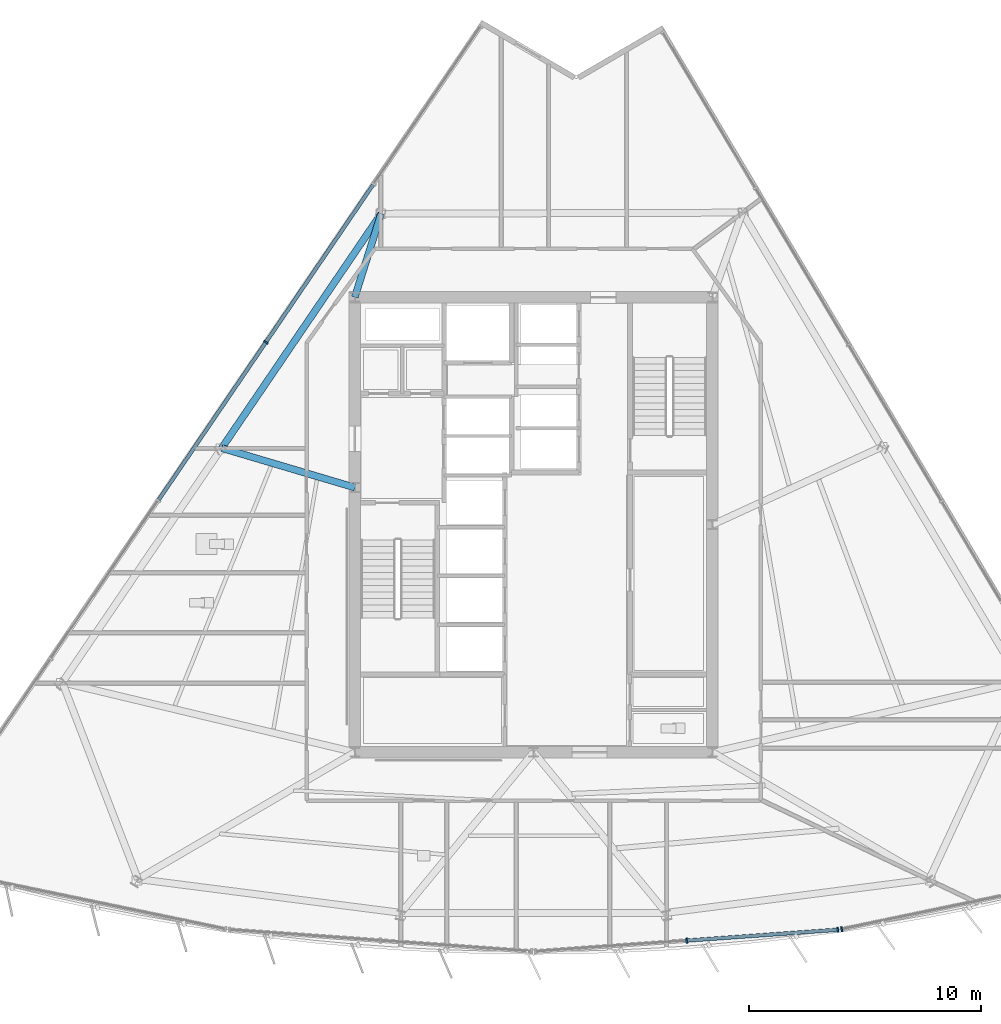
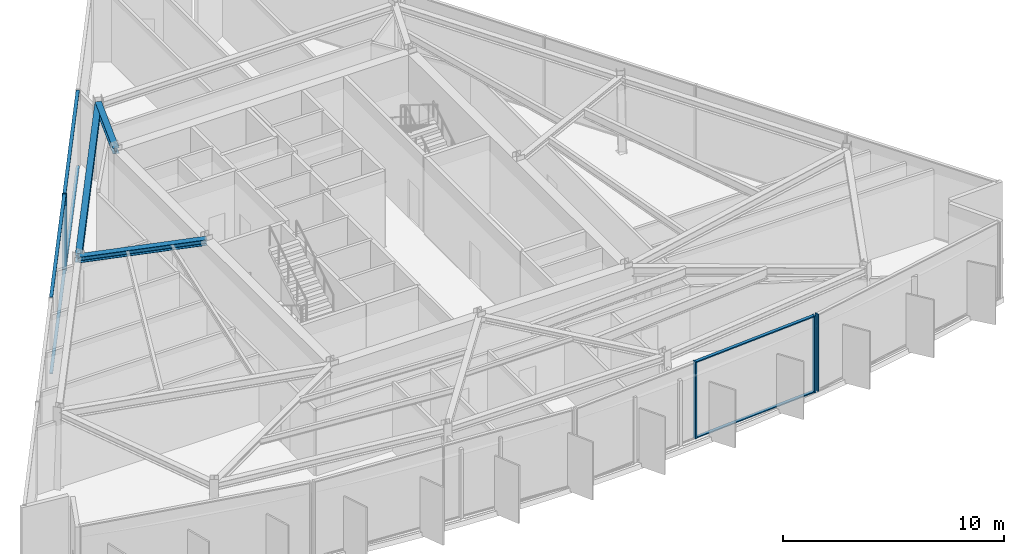
# One storey, part 3 of 13: 10 members, 3 beams, 3 elements without a shape of their own.
"""IFC4 building model written with IfcOpenShell, lengths in metres."""

from ifc_helpers import new_model, si_unit, direction, frame, origin, origin_2d, place, context, subcontext, project, spatial, rectangle, i_section, extrude, material, material_profile, profile_set, type_object, element, aggregate, save


model = new_model("IFC4")

# Units and contexts
model_context = context("Model", 3, precision=1e-05, world=origin(), true_north=direction((0.0, 1.0)))
body_context = subcontext(model_context, "Body", "Model", "MODEL_VIEW")
ifc_project = project(units=[si_unit("LENGTHUNIT", "METRE"), si_unit("AREAUNIT", "SQUARE_METRE"), si_unit("VOLUMEUNIT", "CUBIC_METRE"), si_unit("PLANEANGLEUNIT", "RADIAN"), si_unit("MASSUNIT", "GRAM", prefix="KILO")], contexts=[model_context])

# Site, building, storey
site_placement = place(None, origin())
site = spatial("IfcSite", under=ifc_project, at=site_placement, CompositionType="ELEMENT")
building_placement = place(site_placement, origin())
building = spatial("IfcBuilding", under=site, at=building_placement, Name="Savorim Split Tower", CompositionType="ELEMENT")
storey_placement = place(building_placement, frame((0.0, 0.0, 190.199951171875)))
storey = spatial("IfcBuildingStorey", under=building, at=storey_placement, Name="L50", CompositionType="ELEMENT", Elevation=190.199951171875)

# Beams
ifc_material_1 = material(Name="Steel S355", Category="steel")
ifc_material_profile_1 = material_profile(ifc_material_1, i_section(OverallWidth=0.300048828125, OverallDepth=0.320068359375, WebThickness=0.011474609375, FlangeThickness=0.0205078125, FilletRadius=0.027099609375, at=origin_2d()), Name="HEB 320")
ifc_profile_set_1 = profile_set([ifc_material_profile_1], Name="Steel S355")
beam_type_1 = type_object("IfcBeamType", Name="BM-PRI-HEB320", PredefinedType="BEAM", material=ifc_profile_set_1)
beam_1_placement = place(storey_placement, frame((-6.566162109375, 13.78955078125, 4.090087890625), z_axis=(-0.301187237585, -0.953565020287, 0.0), x_axis=(0.953565020287, -0.301187237585, 0.0)))
element("IfcBeam", 1, at=beam_1_placement, inside=storey, type_object=beam_type_1, Name="L50 Primary Floor Girder RG-08", PredefinedType="BEAM", context=body_context, shape_type="SweptSolid", body=[
    extrude(i_section(OverallWidth=0.300048828125, OverallDepth=0.320068359375, WebThickness=0.011474609375, FlangeThickness=0.0205078125, FilletRadius=0.027099609375, at=origin_2d()), origin(), (0.0, 0.0, 1.0), 3.764404296875),
])
beam_2_placement = place(storey_placement, frame((-13.430419921875, 3.699462890625, 4.090087890625), z_axis=(0.958727620715, -0.284326131893, 0.0), x_axis=(0.284326131893, 0.958727620715, 0.0)))
element("IfcBeam", 2, at=beam_2_placement, inside=storey, type_object=beam_type_1, Name="L50 Primary Floor Girder RG-09", PredefinedType="BEAM", context=body_context, shape_type="SweptSolid", body=[
    extrude(i_section(OverallWidth=0.300048828125, OverallDepth=0.320068359375, WebThickness=0.011474609375, FlangeThickness=0.0205078125, FilletRadius=0.027099609375, at=origin_2d()), origin(), (0.0, 0.0, 1.0), 5.97705078125),
])
ifc_material_profile_2 = material_profile(ifc_material_1, i_section(OverallWidth=0.300048828125, OverallDepth=0.389892578125, WebThickness=0.010986328125, FlangeThickness=0.01904296875, FilletRadius=0.027099609375, at=origin_2d()), Name="HEA 400")
ifc_profile_set_2 = profile_set([ifc_material_profile_2], Name="Steel S355")
beam_type_2 = type_object("IfcBeamType", Name="BM-SPN-HEA400", PredefinedType="SPANDREL", material=ifc_profile_set_2)
beam_3_placement = place(storey_placement, frame((-6.566162109375, 13.78955078125, 4.054931640625), z_axis=(-0.5624780001, -0.826812251605, 0.0), x_axis=(0.826812251605, -0.5624780001, 0.0)))
element("IfcBeam", 3, at=beam_3_placement, inside=storey, type_object=beam_type_2, Name="L50 Perimeter Spandrel Beam 8", PredefinedType="SPANDREL", context=body_context, shape_type="SweptSolid", body=[
    extrude(i_section(OverallWidth=0.300048828125, OverallDepth=0.389892578125, WebThickness=0.010986328125, FlangeThickness=0.01904296875, FilletRadius=0.027099609375, at=origin_2d()), origin(), (0.0, 0.0, 1.0), 12.20361328125),
])

# Curtain wall, members
ifc_material_2 = material(Name="Dark Ceramic-Fritted Insulated Glass", Category="glass")
curtain_wall_type = type_object("IfcCurtainWallType", Name="CW-SKY-ATRIUM", PredefinedType="NOTDEFINED", material=ifc_material_2)
curtain_wall_1_placement = place(storey_placement, origin())
curtain_wall_1 = element("IfcCurtainWall", 4, at=curtain_wall_1_placement, inside=storey, type_object=curtain_wall_type, Name="L50 Curtain Wall CW-L50-SF3", PredefinedType="NOTDEFINED")
ifc_material_3 = material(Name="Charcoal Anodised Aluminium", Category="aluminium")
ifc_material_profile_3 = material_profile(ifc_material_3, rectangle(XDim=0.219970703125, YDim=0.070068359375, at=origin_2d()), Name="ALU-M 220x70")
ifc_profile_set_3 = profile_set([ifc_material_profile_3], Name="Charcoal Anodised Aluminium")
member_type_1 = type_object("IfcMemberType", Name="CWM-220x70", PredefinedType="MULLION", material=ifc_profile_set_3)
member_1_placement = place(storey_placement, frame((6.591796875, -17.509033203125, 0.0), z_axis=(0.0, 0.0, 1.0), x_axis=(-0.071561883187, 0.997436161804, 0.0)))
member_1 = element("IfcMember", 5, at=member_1_placement, type_object=member_type_1, Name="CW-05 mullion 2", PredefinedType="MULLION", context=body_context, shape_type="SweptSolid", body=[
    extrude(rectangle(XDim=0.219970703125, YDim=0.070068359375, at=origin_2d()), origin(), (0.0, 0.0, 1.0), 4.25),
])
member_2_placement = place(storey_placement, frame((13.09716796875, -17.04248046875, 0.0), z_axis=(0.0, 0.0, 1.0), x_axis=(-0.071561883187, 0.997436161804, 0.0)))
member_2 = element("IfcMember", 6, at=member_2_placement, type_object=member_type_1, Name="CW-05 mullion 3", PredefinedType="MULLION", context=body_context, shape_type="SweptSolid", body=[
    extrude(rectangle(XDim=0.219970703125, YDim=0.070068359375, at=origin_2d()), origin(), (0.0, 0.0, 1.0), 4.25),
])

# Curtain wall, member
curtain_wall_2_placement = place(storey_placement, origin())
curtain_wall_2 = element("IfcCurtainWall", 7, at=curtain_wall_2_placement, inside=storey, type_object=curtain_wall_type, Name="L50 Curtain Wall CW-L50-SF4", PredefinedType="NOTDEFINED")
member_3_placement = place(storey_placement, frame((13.269287109375, -17.0185546875, 0.0), z_axis=(0.0, 0.0, 1.0), x_axis=(-0.203207957161, 0.979135601511, 0.0)))
member_3 = element("IfcMember", 8, at=member_3_placement, type_object=member_type_1, Name="CW-05 mullion 1", PredefinedType="MULLION", context=body_context, shape_type="SweptSolid", body=[
    extrude(rectangle(XDim=0.219970703125, YDim=0.070068359375, at=origin_2d()), origin(), (0.0, 0.0, 1.0), 4.25),
])
aggregate(curtain_wall_2, [member_3])

curtain_wall_3_placement = place(storey_placement, origin())
curtain_wall_3 = element("IfcCurtainWall", 9, at=curtain_wall_3_placement, inside=storey, type_object=curtain_wall_type, Name="L50 Curtain Wall CW-L50-WEST", PredefinedType="NOTDEFINED")
member_4_placement = place(storey_placement, frame((-11.52880859375, 8.255859375, 0.0), z_axis=(0.0, 0.0, 1.0), x_axis=(0.826820328821, -0.562466126845, 0.0)))
member_4 = element("IfcMember", 10, at=member_4_placement, type_object=member_type_1, Name="CW-05 mullion 3", PredefinedType="MULLION", context=body_context, shape_type="SweptSolid", body=[
    extrude(rectangle(XDim=0.219970703125, YDim=0.070068359375, at=origin_2d()), origin(), (0.0, 0.0, 1.0), 4.25),
])

# Member
ifc_material_profile_4 = material_profile(ifc_material_3, rectangle(XDim=0.159912109375, YDim=0.06005859375, at=origin_2d()), Name="ALU-T 160x60")
ifc_profile_set_4 = profile_set([ifc_material_profile_4], Name="Charcoal Anodised Aluminium")
member_type_2 = type_object("IfcMemberType", Name="CWT-160x60", PredefinedType="USERDEFINED", material=ifc_profile_set_4)
member_5_placement = place(storey_placement, frame((6.626708984375, -17.506591796875, 0.030029296875), z_axis=(0.997436949749, 0.071550899889, 0.0), x_axis=(-0.071550899889, 0.997436949749, 0.0)))
member_5 = element("IfcMember", 11, at=member_5_placement, type_object=member_type_2, Name="CW-05 transom 2.1", ObjectType="TRANSOM", PredefinedType="USERDEFINED", context=body_context, shape_type="SweptSolid", body=[
    extrude(rectangle(XDim=0.159912109375, YDim=0.06005859375, at=origin_2d()), origin(), (0.0, 0.0, 1.0), 6.452392578125),
])

member_6_placement = place(storey_placement, frame((6.626708984375, -17.506591796875, 4.219970703125), z_axis=(0.997436949749, 0.071550899889, 0.0), x_axis=(-0.071550899889, 0.997436949749, 0.0)))
member_6 = element("IfcMember", 12, at=member_6_placement, type_object=member_type_2, Name="CW-05 transom 2.2", ObjectType="TRANSOM", PredefinedType="USERDEFINED", context=body_context, shape_type="SweptSolid", body=[
    extrude(rectangle(XDim=0.159912109375, YDim=0.06005859375, at=origin_2d()), origin(), (0.0, 0.0, 1.0), 6.452392578125),
])

aggregate(curtain_wall_1, [member_1, member_2, member_5, member_6])

member_7_placement = place(storey_placement, frame((-6.912841796875, 15.041259765625, 0.030029296875), z_axis=(-0.562453020909, -0.826829244325, 0.0), x_axis=(0.826829244325, -0.562453020909, 0.0)))
member_7 = element("IfcMember", 13, at=member_7_placement, type_object=member_type_2, Name="CW-05 transom 2.1", ObjectType="TRANSOM", PredefinedType="USERDEFINED", context=body_context, shape_type="SweptSolid", body=[
    extrude(rectangle(XDim=0.159912109375, YDim=0.06005859375, at=origin_2d()), origin(), (0.0, 0.0, 1.0), 8.171630859375),
])

member_8_placement = place(storey_placement, frame((-6.912841796875, 15.041259765625, 4.219970703125), z_axis=(-0.562453020909, -0.826829244325, 0.0), x_axis=(0.826829244325, -0.562453020909, 0.0)))
member_8 = element("IfcMember", 14, at=member_8_placement, type_object=member_type_2, Name="CW-05 transom 2.2", ObjectType="TRANSOM", PredefinedType="USERDEFINED", context=body_context, shape_type="SweptSolid", body=[
    extrude(rectangle(XDim=0.159912109375, YDim=0.06005859375, at=origin_2d()), origin(), (0.0, 0.0, 1.0), 8.171630859375),
])

member_9_placement = place(storey_placement, frame((-11.54833984375, 8.226806640625, 0.030029296875), z_axis=(-0.562487339687, -0.826805897833, 0.0), x_axis=(0.826805897833, -0.562487339687, 0.0)))
member_9 = element("IfcMember", 15, at=member_9_placement, type_object=member_type_2, Name="CW-05 transom 3.1", ObjectType="TRANSOM", PredefinedType="USERDEFINED", context=body_context, shape_type="SweptSolid", body=[
    extrude(rectangle(XDim=0.159912109375, YDim=0.06005859375, at=origin_2d()), origin(), (0.0, 0.0, 1.0), 8.171630859375),
])

member_10_placement = place(storey_placement, frame((-11.54833984375, 8.226806640625, 4.219970703125), z_axis=(-0.562487339687, -0.826805897833, 0.0), x_axis=(0.826805897833, -0.562487339687, 0.0)))
member_10 = element("IfcMember", 16, at=member_10_placement, type_object=member_type_2, Name="CW-05 transom 3.2", ObjectType="TRANSOM", PredefinedType="USERDEFINED", context=body_context, shape_type="SweptSolid", body=[
    extrude(rectangle(XDim=0.159912109375, YDim=0.06005859375, at=origin_2d()), origin(), (0.0, 0.0, 1.0), 8.171630859375),
])

aggregate(curtain_wall_3, [member_4, member_7, member_8, member_9, member_10])

save(model, "model.ifc")
